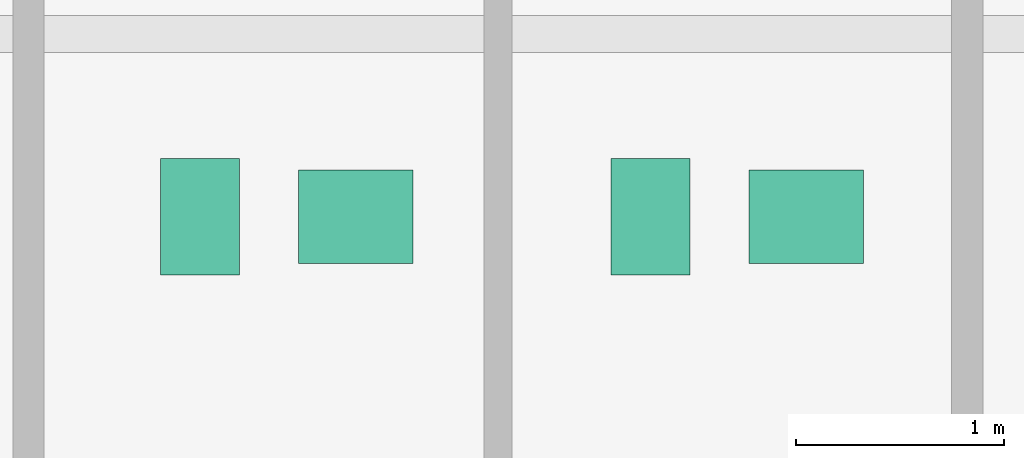
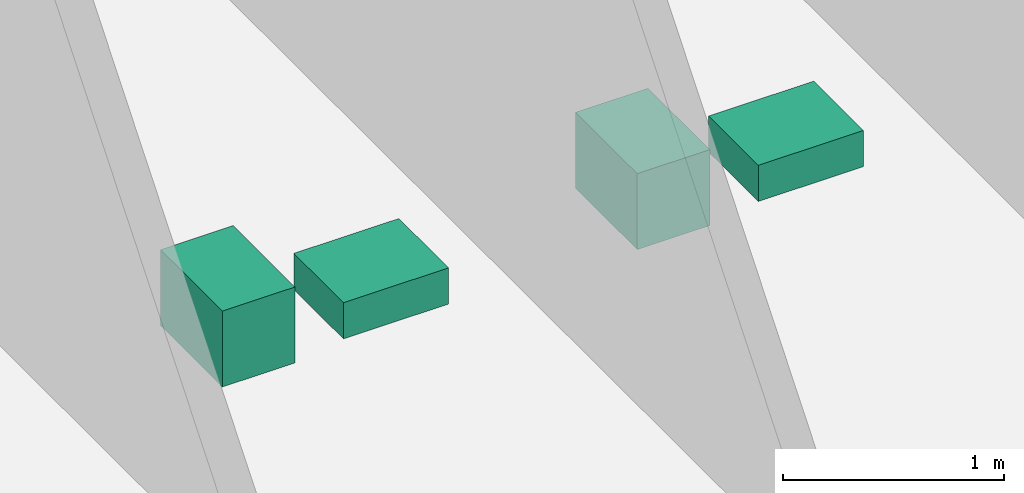
# One storey, part 23 of 24: 4 sanitary terminals.
"""IFC4 building model written with IfcOpenShell, lengths in metres."""

from ifc_helpers import new_model, si_unit, direction, frame, origin, origin_2d, place, context, subcontext, project, spatial, rectangle, extrude, material, type_object, element, save


model = new_model("IFC4")

# Units and contexts
model_context = context("Model", 3, precision=1e-05, world=origin(), true_north=direction((0.0, 1.0)))
body_context = subcontext(model_context, "Body", "Model", "MODEL_VIEW")
ifc_project = project(units=[si_unit("LENGTHUNIT", "METRE"), si_unit("AREAUNIT", "SQUARE_METRE"), si_unit("VOLUMEUNIT", "CUBIC_METRE"), si_unit("PLANEANGLEUNIT", "RADIAN"), si_unit("MASSUNIT", "GRAM", prefix="KILO")], contexts=[model_context])

# Site, building, storey
site_placement = place(None, origin())
site = spatial("IfcSite", under=ifc_project, at=site_placement, CompositionType="ELEMENT")
building_placement = place(site_placement, origin())
building = spatial("IfcBuilding", under=site, at=building_placement, Name="Zuhayl Quay Hotel", CompositionType="ELEMENT")
storey_placement = place(building_placement, frame((0.0, 0.0, 292.85009765625)))
storey = spatial("IfcBuildingStorey", under=building, at=storey_placement, Name="L74", CompositionType="ELEMENT", Elevation=292.85009765625)

# Sanitary terminals
ifc_material = material(Name="Vitreous Porcelain Sanitaryware")
sanitary_terminal_type_1 = type_object("IfcSanitaryTerminalType", Name="SAN_BASIN", PredefinedType="WASHHANDBASIN", material=ifc_material)
for number, where, z_axis, x_axis, name in (
    (1, (10.215087890625, 34.969970703125, 0.0), (0.0, 0.0, 1.0), (1.0, 0.0, 0.0), "L74 Sanitary Fixture WASHHANDBASIN"),
    (2, (12.385009765625, 34.969970703125, 0.0), (0.0, 0.0, 1.0), (1.0, 0.0, 0.0), "L74 Sanitary Fixture WASHHANDBASIN"),
):
    element("IfcSanitaryTerminal", number, at=place(storey_placement, frame(where, z_axis=z_axis, x_axis=x_axis)), inside=storey, type_object=sanitary_terminal_type_1, Name=name, PredefinedType="WASHHANDBASIN", context=body_context, shape_type="SweptSolid", body=[
        extrude(rectangle(XDim=0.550048828125, YDim=0.449951171875, at=origin_2d()), origin(), (0.0, 0.0, 1.0), 0.199951171875),
    ])
sanitary_terminal_type_2 = type_object("IfcSanitaryTerminalType", Name="SAN_WC", PredefinedType="TOILETPAN", material=ifc_material)
for number, where, z_axis, x_axis, name in (
    (3, (9.465087890625, 34.969970703125, 0.0), (0.0, 0.0, 1.0), (1.0, 0.0, 0.0), "L74 Sanitary Fixture TOILETPAN"),
    (4, (11.635009765625, 34.969970703125, 0.0), (0.0, 0.0, 1.0), (1.0, 0.0, 0.0), "L74 Sanitary Fixture TOILETPAN"),
):
    element("IfcSanitaryTerminal", number, at=place(storey_placement, frame(where, z_axis=z_axis, x_axis=x_axis)), inside=storey, type_object=sanitary_terminal_type_2, Name=name, PredefinedType="TOILETPAN", context=body_context, shape_type="SweptSolid", body=[
        extrude(rectangle(XDim=0.3798828125, YDim=0.56005859375, at=origin_2d()), origin(), (0.0, 0.0, 1.0), 0.419921875),
    ])

save(model, "model.ifc")
